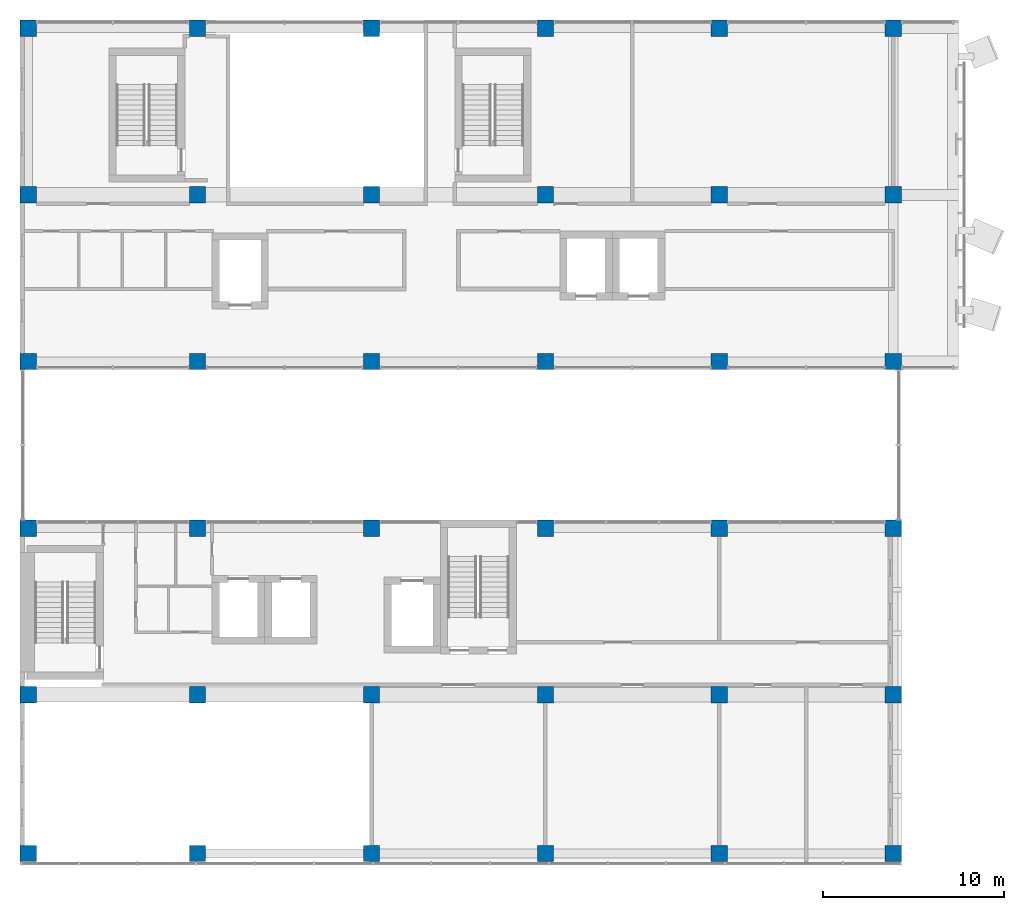
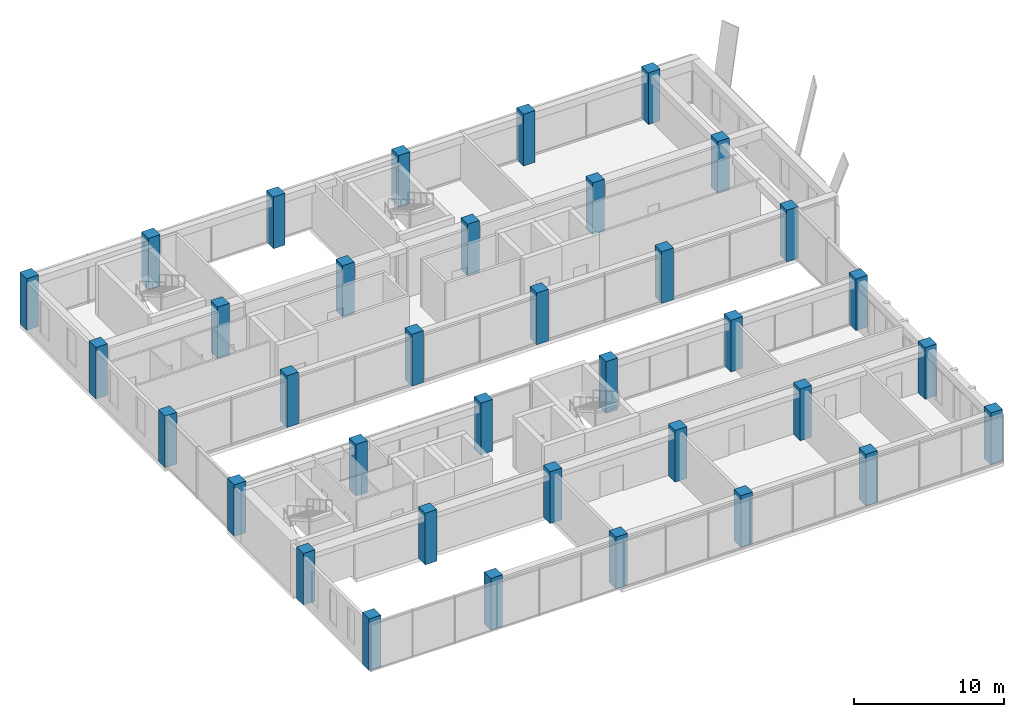
# One storey, part 1 of 37: 36 columns.
"""IFC4 building model written with IfcOpenShell, lengths in metres."""

from ifc_helpers import new_model, si_unit, direction, frame, origin, origin_2d, place, context, subcontext, project, spatial, rectangle, extrude, material, material_profile, profile_set, type_object, element, save


model = new_model("IFC4")

# Units and contexts
model_context = context("Model", 3, precision=1e-05, world=origin(), true_north=direction((0.0, 1.0)))
body_context = subcontext(model_context, "Body", "Model", "MODEL_VIEW")
ifc_project = project(units=[si_unit("LENGTHUNIT", "METRE"), si_unit("AREAUNIT", "SQUARE_METRE"), si_unit("VOLUMEUNIT", "CUBIC_METRE"), si_unit("PLANEANGLEUNIT", "RADIAN"), si_unit("MASSUNIT", "GRAM", prefix="KILO")], contexts=[model_context])

# Site, building, storey
site_placement = place(None, origin())
site = spatial("IfcSite", under=ifc_project, at=site_placement, CompositionType="ELEMENT")
building_placement = place(site_placement, origin())
building = spatial("IfcBuilding", under=site, at=building_placement, Name="Nzadi Deep Aquarium and Research Tower", CompositionType="ELEMENT")
storey_placement = place(building_placement, frame((0.0, 0.0, 61.300048828125)))
storey = spatial("IfcBuildingStorey", under=building, at=storey_placement, Name="L12", CompositionType="ELEMENT", Elevation=61.300048828125)

# Columns
ifc_material = material(Name="Concrete C40/50", Category="concrete")
ifc_material_profile = material_profile(ifc_material, rectangle(XDim=0.89990234375, YDim=0.89990234375, at=origin_2d()))
ifc_profile_set = profile_set([ifc_material_profile], Name="Concrete C40/50")
column_type = type_object("IfcColumnType", Name="RC 900x900", PredefinedType="COLUMN", material=ifc_profile_set)
for number, where, z_axis, x_axis, name in (
    (1, (0.25048828125, 0.449951171875, 0.0), (0.0, 0.0, 1.0), (1.0, 0.0, 0.0), "C-Z1-L12-A1"),
    (2, (9.60009765625, 0.449951171875, 0.0), (0.0, 0.0, 1.0), (1.0, 0.0, 0.0), "C-Z1-L12-B1"),
    (3, (19.199951171875, 0.449951171875, 0.0), (0.0, 0.0, 1.0), (1.0, 0.0, 0.0), "C-Z1-L12-C1"),
    (4, (28.800048828125, 0.449951171875, 0.0), (0.0, 0.0, 1.0), (1.0, 0.0, 0.0), "C-Z1-L12-D1"),
    (5, (38.39990234375, 0.449951171875, 0.0), (0.0, 0.0, 1.0), (1.0, 0.0, 0.0), "C-Z1-L12-E1"),
    (6, (48.0, 0.449951171875, 0.0), (0.0, 0.0, 1.0), (1.0, 0.0, 0.0), "C-Z1-L12-F1"),
    (7, (0.25048828125, 9.199951171875, 0.0), (0.0, 0.0, 1.0), (1.0, 0.0, 0.0), "C-Z1-L12-A2"),
    (8, (9.60009765625, 9.199951171875, 0.0), (0.0, 0.0, 1.0), (1.0, 0.0, 0.0), "C-Z1-L12-B2"),
    (9, (19.199951171875, 9.199951171875, 0.0), (0.0, 0.0, 1.0), (1.0, 0.0, 0.0), "C-Z1-L12-C2"),
    (10, (28.800048828125, 9.199951171875, 0.0), (0.0, 0.0, 1.0), (1.0, 0.0, 0.0), "C-Z1-L12-D2"),
    (11, (38.39990234375, 9.199951171875, 0.0), (0.0, 0.0, 1.0), (1.0, 0.0, 0.0), "C-Z1-L12-E2"),
    (12, (48.0, 9.199951171875, 0.0), (0.0, 0.0, 1.0), (1.0, 0.0, 0.0), "C-Z1-L12-F2"),
    (13, (0.25048828125, 18.39990234375, 0.0), (0.0, 0.0, 1.0), (1.0, 0.0, 0.0), "C-Z1-L12-A3"),
    (14, (9.60009765625, 18.39990234375, 0.0), (0.0, 0.0, 1.0), (1.0, 0.0, 0.0), "C-Z1-L12-B3"),
    (15, (19.199951171875, 18.39990234375, 0.0), (0.0, 0.0, 1.0), (1.0, 0.0, 0.0), "C-Z1-L12-C3"),
    (16, (28.800048828125, 18.39990234375, 0.0), (0.0, 0.0, 1.0), (1.0, 0.0, 0.0), "C-Z1-L12-D3"),
    (17, (38.39990234375, 18.39990234375, 0.0), (0.0, 0.0, 1.0), (1.0, 0.0, 0.0), "C-Z1-L12-E3"),
    (18, (48.0, 18.39990234375, 0.0), (0.0, 0.0, 1.0), (1.0, 0.0, 0.0), "C-Z1-L12-F3"),
    (19, (0.25048828125, 27.60009765625, 0.0), (0.0, 0.0, 1.0), (1.0, 0.0, 0.0), "C-Z1-L12-A4"),
    (20, (9.60009765625, 27.60009765625, 0.0), (0.0, 0.0, 1.0), (1.0, 0.0, 0.0), "C-Z1-L12-B4"),
    (21, (19.199951171875, 27.60009765625, 0.0), (0.0, 0.0, 1.0), (1.0, 0.0, 0.0), "C-Z1-L12-C4"),
    (22, (28.800048828125, 27.60009765625, 0.0), (0.0, 0.0, 1.0), (1.0, 0.0, 0.0), "C-Z1-L12-D4"),
    (23, (38.39990234375, 27.60009765625, 0.0), (0.0, 0.0, 1.0), (1.0, 0.0, 0.0), "C-Z1-L12-E4"),
    (24, (48.0, 27.60009765625, 0.0), (0.0, 0.0, 1.0), (1.0, 0.0, 0.0), "C-Z1-L12-F4"),
    (25, (0.25048828125, 36.800048828125, 0.0), (0.0, 0.0, 1.0), (1.0, 0.0, 0.0), "C-Z1-L12-A5"),
    (26, (9.60009765625, 36.800048828125, 0.0), (0.0, 0.0, 1.0), (1.0, 0.0, 0.0), "C-Z1-L12-B5"),
    (27, (19.199951171875, 36.800048828125, 0.0), (0.0, 0.0, 1.0), (1.0, 0.0, 0.0), "C-Z1-L12-C5"),
    (28, (28.800048828125, 36.800048828125, 0.0), (0.0, 0.0, 1.0), (1.0, 0.0, 0.0), "C-Z1-L12-D5"),
    (29, (38.39990234375, 36.800048828125, 0.0), (0.0, 0.0, 1.0), (1.0, 0.0, 0.0), "C-Z1-L12-E5"),
    (30, (48.0, 36.800048828125, 0.0), (0.0, 0.0, 1.0), (1.0, 0.0, 0.0), "C-Z1-L12-F5"),
    (31, (0.25048828125, 46.0, 0.0), (0.0, 0.0, 1.0), (1.0, 0.0, 0.0), "C-Z1-L12-A6"),
    (32, (9.60009765625, 46.0, 0.0), (0.0, 0.0, 1.0), (1.0, 0.0, 0.0), "C-Z1-L12-B6"),
    (33, (19.199951171875, 46.0, 0.0), (0.0, 0.0, 1.0), (1.0, 0.0, 0.0), "C-Z1-L12-C6"),
    (34, (28.800048828125, 46.0, 0.0), (0.0, 0.0, 1.0), (1.0, 0.0, 0.0), "C-Z1-L12-D6"),
    (35, (38.39990234375, 46.0, 0.0), (0.0, 0.0, 1.0), (1.0, 0.0, 0.0), "C-Z1-L12-E6"),
    (36, (48.0, 46.0, 0.0), (0.0, 0.0, 1.0), (1.0, 0.0, 0.0), "C-Z1-L12-F6"),
):
    element("IfcColumn", number, at=place(storey_placement, frame(where, z_axis=z_axis, x_axis=x_axis)), inside=storey, type_object=column_type, Name=name, PredefinedType="COLUMN", context=body_context, shape_type="SweptSolid", body=[
        extrude(rectangle(XDim=0.89990234375, YDim=0.89990234375, at=origin_2d()), origin(), (0.0, 0.0, 1.0), 4.199951171875),
    ])

save(model, "model.ifc")
